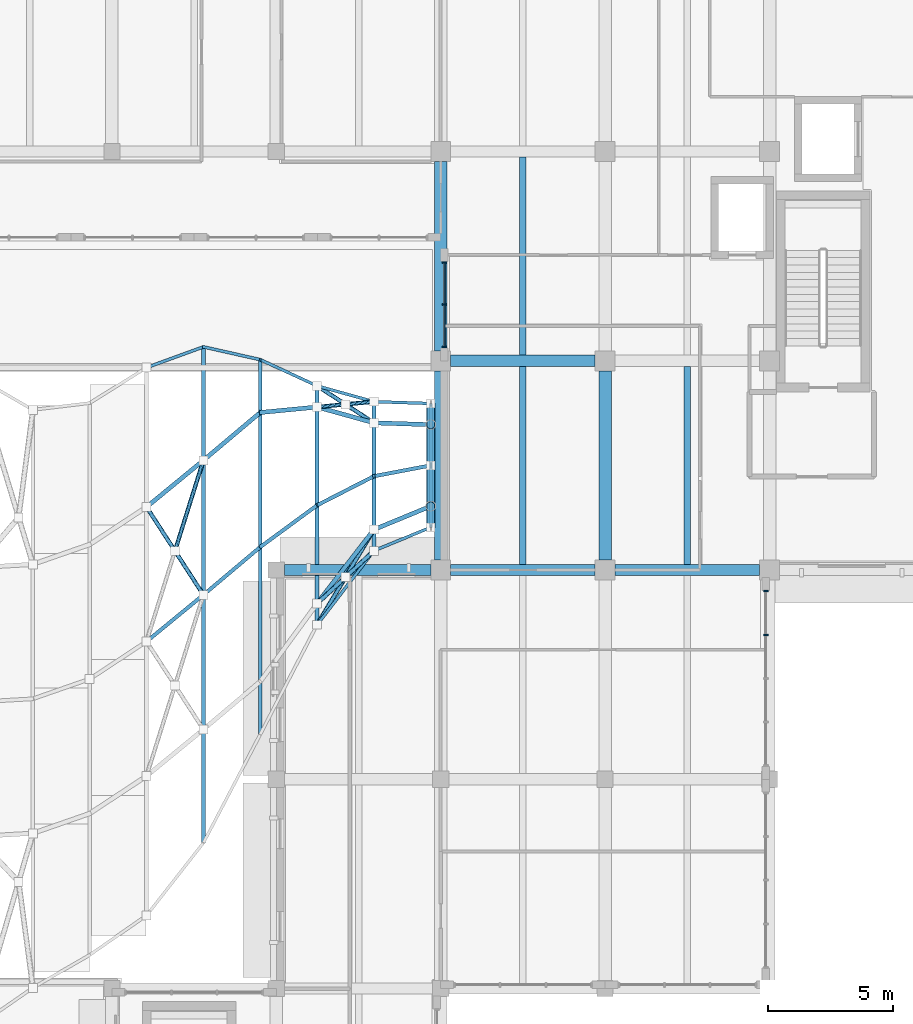
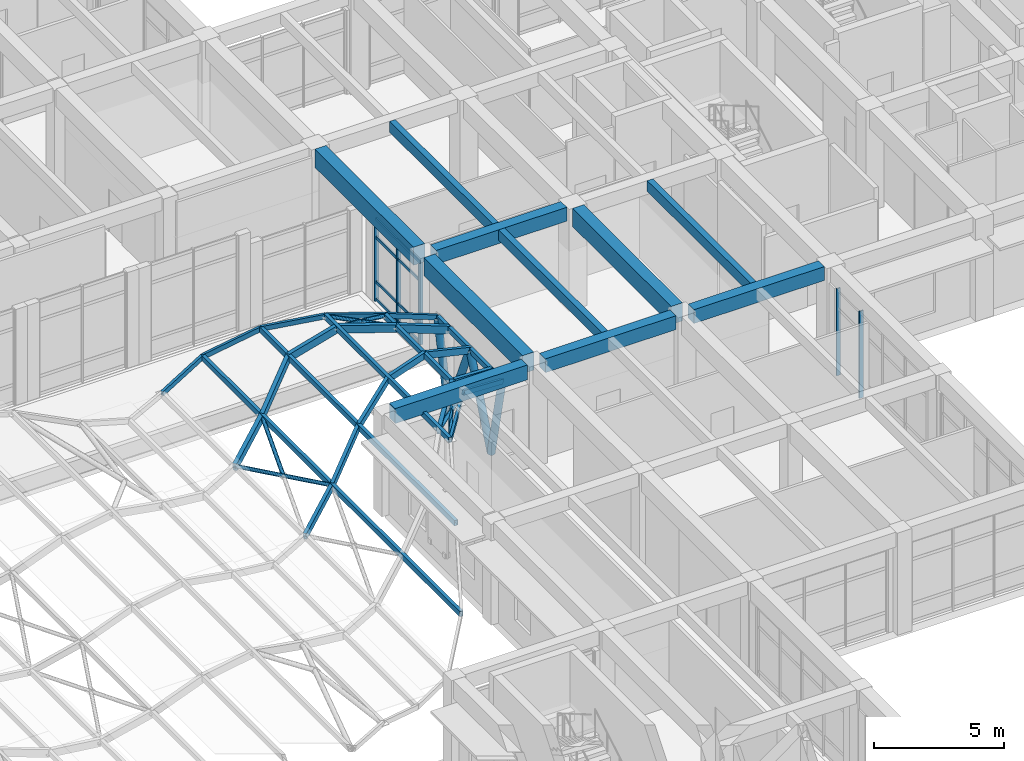
# One storey, part 27 of 79: 45 members, 10 beams, 2 elements without a shape of their own.
"""IFC4 building model written with IfcOpenShell, lengths in metres."""

from ifc_helpers import new_model, si_unit, direction, frame, origin, origin_2d, place, context, subcontext, project, spatial, rectangle, hollow_rectangle, hollow_circle, extrude, material, layer, layer_set, material_profile, profile_set, type_object, element, aggregate, save


model = new_model("IFC4")

# Units and contexts
model_context = context("Model", 3, precision=1e-05, world=origin(), true_north=direction((0.0, 1.0)))
body_context = subcontext(model_context, "Body", "Model", "MODEL_VIEW")
ifc_project = project(units=[si_unit("LENGTHUNIT", "METRE"), si_unit("AREAUNIT", "SQUARE_METRE"), si_unit("VOLUMEUNIT", "CUBIC_METRE"), si_unit("PLANEANGLEUNIT", "RADIAN"), si_unit("MASSUNIT", "GRAM", prefix="KILO")], contexts=[model_context])

# Site, building, storey
site_placement = place(None, origin())
site = spatial("IfcSite", under=ifc_project, at=site_placement, CompositionType="ELEMENT")
building_placement = place(site_placement, origin())
building = spatial("IfcBuilding", under=site, at=building_placement, Name="Kolvaren Faculty of Natural Sciences", CompositionType="ELEMENT")
storey_placement = place(building_placement, frame((0.0, 0.0, 10.199951171875)))
storey = spatial("IfcBuildingStorey", under=building, at=storey_placement, Name="L02", CompositionType="ELEMENT", Elevation=10.199951171875)

# Members
ifc_material_1 = material(Name="Structural steel EN 10210-1 S355J2H (white architectural finish)", Category="steel")
ifc_material_profile_1 = material_profile(ifc_material_1, hollow_circle(Radius=0.084228515625, WallThickness=0.008056640625, at=origin_2d()), Name="CHS 168.3x8")
ifc_profile_set_1 = profile_set([ifc_material_profile_1], Name="Structural steel EN 10210-1 S355J2H (white architectural finish)")
member_type_1 = type_object("IfcMemberType", Name="CanopyGridCrossBrace_CHS168", PredefinedType="BRACE", material=ifc_profile_set_1)
member_1_placement = place(storey_placement, frame((126.990966796875, 61.530517578125, 2.375732421875), z_axis=(0.540192787713, -0.83514290495, 0.103576447205), x_axis=(0.839659014623, 0.543113928345, 0.0)))
element("IfcMember", 1, at=member_1_placement, inside=storey, type_object=member_type_1, Name="Canopy X-brace continuous diagonal N2-40-A", PredefinedType="BRACE", context=body_context, shape_type="SweptSolid", body=[
    extrude(hollow_circle(Radius=0.084228515625, WallThickness=0.008056640625, at=origin_2d()), origin(), (0.0, 0.0, 1.0), 4.223876953125),
])
member_2_placement = place(storey_placement, frame((128.1318359375, 59.766845703125, 2.594482421875), z_axis=(0.298869862247, 0.952571737279, 0.057305242151), x_axis=(-0.954139670801, 0.299361802179, 0.0)))
element("IfcMember", 2, at=member_2_placement, inside=storey, type_object=member_type_1, Name="Canopy X-brace split diagonal N2-40-B2", PredefinedType="BRACE", context=body_context, shape_type="SweptSolid", body=[
    extrude(hollow_circle(Radius=0.084228515625, WallThickness=0.008056640625, at=origin_2d()), origin(), (0.0, 0.0, 1.0), 3.8173828125),
])
member_3_placement = place(storey_placement, frame((133.83642578125, 56.803466796875, 4.07470703125), z_axis=(0.510885522288, 0.855265876495, -0.086696387583), x_axis=(-0.858498311724, 0.512816388941, 0.0)))
element("IfcMember", 3, at=member_3_placement, inside=storey, type_object=member_type_1, Name="Canopy X-brace continuous diagonal S1-43-A", PredefinedType="BRACE", context=body_context, shape_type="SweptSolid", body=[
    extrude(hollow_circle(Radius=0.084228515625, WallThickness=0.008056640625, at=origin_2d()), origin(), (0.0, 0.0, 1.0), 4.46630859375),
])
member_4_placement = place(storey_placement, frame((133.83642578125, 57.6533203125, 4.07470703125), z_axis=(0.726979619513, 0.675485878007, -0.123367181313), x_axis=(-0.680685571899, 0.732575697255, 0.0)))
element("IfcMember", 4, at=member_4_placement, inside=storey, type_object=member_type_1, Name="Canopy X-brace split diagonal S1-43-B1", PredefinedType="BRACE", context=body_context, shape_type="SweptSolid", body=[
    extrude(hollow_circle(Radius=0.084228515625, WallThickness=0.008056640625, at=origin_2d()), origin(), (0.0, 0.0, 1.0), 1.5693359375),
])
member_5_placement = place(storey_placement, frame((134.977294921875, 58.71337890625, 3.881103515625), z_axis=(0.727056017763, 0.675401278217, -0.123380145963), x_axis=(-0.680601426329, 0.732653873585, 0.0)))
element("IfcMember", 5, at=member_5_placement, inside=storey, type_object=member_type_1, Name="Canopy X-brace split diagonal S1-43-B2", PredefinedType="BRACE", context=body_context, shape_type="SweptSolid", body=[
    extrude(hollow_circle(Radius=0.084228515625, WallThickness=0.008056640625, at=origin_2d()), origin(), (0.0, 0.0, 1.0), 1.569091796875),
])
member_6_placement = place(storey_placement, frame((133.83642578125, 66.393310546875, 4.07470703125), z_axis=(0.829880607086, -0.53987525049, -0.140829300539), x_axis=(0.545309867301, 0.838234542729, 0.0)))
element("IfcMember", 6, at=member_6_placement, inside=storey, type_object=member_type_1, Name="Canopy X-brace continuous diagonal N1-43-A", PredefinedType="BRACE", context=body_context, shape_type="SweptSolid", body=[
    extrude(hollow_circle(Radius=0.084228515625, WallThickness=0.008056640625, at=origin_2d()), origin(), (0.0, 0.0, 1.0), 2.74951171875),
])
for number, where, z_axis, x_axis, name in (
    (7, (133.83642578125, 65.54345703125, 4.07470703125), (0.981665088736, 0.092641622969, -0.166586863978), (-0.093954469156, 0.995576495165, 0.0), "Canopy X-brace split diagonal N1-43-B1"),
    (8, (134.977294921875, 65.651123046875, 3.881103515625), (0.981665088736, 0.092641622969, -0.166586863978), (-0.093954469156, 0.995576495165, 0.0), "Canopy X-brace split diagonal N1-43-B2"),
):
    element("IfcMember", number, at=place(storey_placement, frame(where, z_axis=z_axis, x_axis=x_axis)), inside=storey, type_object=member_type_1, Name=name, PredefinedType="BRACE", context=body_context, shape_type="SweptSolid", body=[
        extrude(hollow_circle(Radius=0.084228515625, WallThickness=0.008056640625, at=origin_2d()), origin(), (0.0, 0.0, 1.0), 1.162109375),
    ])
ifc_material_profile_2 = material_profile(ifc_material_1, hollow_rectangle(XDim=0.14990234375, YDim=0.300048828125, WallThickness=0.010009765625, at=origin_2d()), Name="RHS 300x150x10")
ifc_profile_set_2 = profile_set([ifc_material_profile_2], Name="Structural steel EN 10210-1 S355J2H (white architectural finish)")
member_type_2 = type_object("IfcMemberType", Name="CanopyRidgeChord_RHS300", PredefinedType="PURLIN", material=ifc_profile_set_2)
member_7_placement = place(storey_placement, frame((126.990966796875, 56.130615234375, 2.350830078125), z_axis=(0.764707942632, 0.627492532853, 0.146543112054), x_axis=(-0.634340694574, 0.77305360953, 0.0)))
element("IfcMember", 9, at=member_7_placement, inside=storey, type_object=member_type_2, Name="Covered street wave canopy ridge chord 40", PredefinedType="PURLIN", context=body_context, shape_type="SweptSolid", body=[
    extrude(hollow_rectangle(XDim=0.14990234375, YDim=0.300048828125, WallThickness=0.010009765625, at=origin_2d()), origin(), (0.0, 0.0, 1.0), 2.98388671875),
])
member_8_placement = place(storey_placement, frame((129.272705078125, 58.0029296875, 2.7880859375), z_axis=(0.736844585428, 0.620239284567, 0.269004250533), x_axis=(-0.643976924717, 0.765044913996, 0.0)))
element("IfcMember", 10, at=member_8_placement, inside=storey, type_object=member_type_2, Name="Covered street wave canopy ridge chord 41", PredefinedType="PURLIN", context=body_context, shape_type="SweptSolid", body=[
    extrude(hollow_rectangle(XDim=0.14990234375, YDim=0.300048828125, WallThickness=0.010009765625, at=origin_2d()), origin(), (0.0, 0.0, 1.0), 3.0966796875),
])
member_9_placement = place(storey_placement, frame((131.554443359375, 59.923583984375, 3.62109375), z_axis=(0.797087172619, 0.585002461129, 0.149746985677), x_axis=(-0.591673969726, 0.806177346214, 0.0)))
element("IfcMember", 11, at=member_9_placement, inside=storey, type_object=member_type_2, Name="Covered street wave canopy ridge chord 42", PredefinedType="PURLIN", context=body_context, shape_type="SweptSolid", body=[
    extrude(hollow_rectangle(XDim=0.14990234375, YDim=0.300048828125, WallThickness=0.010009765625, at=origin_2d()), origin(), (0.0, 0.0, 1.0), 2.86279296875),
])
member_10_placement = place(storey_placement, frame((133.83642578125, 61.598388671875, 4.0498046875), z_axis=(0.880210154157, 0.450464922676, -0.149370137438), x_axis=(-0.455575867981, 0.890196960517, 0.0)))
element("IfcMember", 12, at=member_10_placement, inside=storey, type_object=member_type_2, Name="Covered street wave canopy ridge chord 43", PredefinedType="PURLIN", context=body_context, shape_type="SweptSolid", body=[
    extrude(hollow_rectangle(XDim=0.14990234375, YDim=0.300048828125, WallThickness=0.010009765625, at=origin_2d()), origin(), (0.0, 0.0, 1.0), 2.59228515625),
])
member_11_placement = place(storey_placement, frame((136.1181640625, 62.76611328125, 3.66259765625), z_axis=(0.924941004146, 0.17586348859, -0.336980967164), x_axis=(-0.186788473869, 0.982400155756, 0.0)))
element("IfcMember", 13, at=member_11_placement, inside=storey, type_object=member_type_2, Name="Covered street wave canopy ridge chord 44", PredefinedType="PURLIN", context=body_context, shape_type="SweptSolid", body=[
    extrude(hollow_rectangle(XDim=0.14990234375, YDim=0.300048828125, WallThickness=0.010009765625, at=origin_2d()), origin(), (0.0, 0.0, 1.0), 2.466796875),
])
ifc_material_profile_3 = material_profile(ifc_material_1, hollow_rectangle(XDim=0.175048828125, YDim=0.35009765625, WallThickness=0.012451171875, at=origin_2d()), Name="RHS 350x175x12.5")
ifc_profile_set_3 = profile_set([ifc_material_profile_3], Name="Structural steel EN 10210-1 S355J2H (white architectural finish)")
member_type_3 = type_object("IfcMemberType", Name="CanopySpineChord_RHS350", PredefinedType="PURLIN", material=ifc_profile_set_3)
member_12_placement = place(storey_placement, frame((126.990966796875, 61.530517578125, 2.32568359375), z_axis=(0.764659510784, 0.627534608144, 0.146615647692), x_axis=(-0.634390122101, 0.77301304839, 0.0)))
element("IfcMember", 14, at=member_12_placement, inside=storey, type_object=member_type_3, Name="Covered street wave canopy n-spine chord 40", PredefinedType="PURLIN", context=body_context, shape_type="SweptSolid", body=[
    extrude(hollow_rectangle(XDim=0.175048828125, YDim=0.35009765625, WallThickness=0.012451171875, at=origin_2d()), origin(), (0.0, 0.0, 1.0), 2.98388671875),
])
member_13_placement = place(storey_placement, frame((129.272705078125, 63.403076171875, 2.76318359375), z_axis=(0.736896245368, 0.620203923183, 0.268944264172), x_axis=(-0.643929009953, 0.765085243709, 0.0)))
element("IfcMember", 15, at=member_13_placement, inside=storey, type_object=member_type_3, Name="Covered street wave canopy n-spine chord 41", PredefinedType="PURLIN", context=body_context, shape_type="SweptSolid", body=[
    extrude(hollow_rectangle(XDim=0.175048828125, YDim=0.35009765625, WallThickness=0.012451171875, at=origin_2d()), origin(), (0.0, 0.0, 1.0), 3.096435546875),
])
member_14_placement = place(storey_placement, frame((131.554443359375, 65.323486328125, 3.595947265625), z_axis=(0.978425709829, 0.094314920783, 0.183814651381), x_axis=(-0.095949817214, 0.995386172587, 0.0)))
element("IfcMember", 16, at=member_14_placement, inside=storey, type_object=member_type_3, Name="Covered street wave canopy n-spine chord 42", PredefinedType="PURLIN", context=body_context, shape_type="SweptSolid", body=[
    extrude(hollow_rectangle(XDim=0.175048828125, YDim=0.35009765625, WallThickness=0.012451171875, at=origin_2d()), origin(), (0.0, 0.0, 1.0), 2.332275390625),
])
member_15_placement = place(storey_placement, frame((133.83642578125, 57.6533203125, 4.024658203125), z_axis=(0.6060017679, 0.788787877863, -0.102837449592), x_axis=(-0.792992183802, 0.609231808452, 0.0)))
element("IfcMember", 17, at=member_15_placement, inside=storey, type_object=member_type_3, Name="Covered street wave canopy s-spine chord 43", PredefinedType="PURLIN", context=body_context, shape_type="SweptSolid", body=[
    extrude(hollow_rectangle(XDim=0.175048828125, YDim=0.35009765625, WallThickness=0.012451171875, at=origin_2d()), origin(), (0.0, 0.0, 1.0), 3.76513671875),
])
member_16_placement = place(storey_placement, frame((133.83642578125, 65.54345703125, 4.024658203125), z_axis=(0.95081702743, -0.264409742595, -0.161352001445), x_axis=(0.267920323907, 0.963441072426, 0.0)))
element("IfcMember", 18, at=member_16_placement, inside=storey, type_object=member_type_3, Name="Covered street wave canopy n-spine chord 43", PredefinedType="PURLIN", context=body_context, shape_type="SweptSolid", body=[
    extrude(hollow_rectangle(XDim=0.175048828125, YDim=0.35009765625, WallThickness=0.012451171875, at=origin_2d()), origin(), (0.0, 0.0, 1.0), 2.399658203125),
])
member_17_placement = place(storey_placement, frame((136.1181640625, 60.623291015625, 3.637451171875), z_axis=(0.876002248107, 0.361611028589, -0.319151257736), x_axis=(-0.38156545556, 0.924341821581, 0.0)))
element("IfcMember", 19, at=member_17_placement, inside=storey, type_object=member_type_3, Name="Covered street wave canopy s-spine chord 44", PredefinedType="PURLIN", context=body_context, shape_type="SweptSolid", body=[
    extrude(hollow_rectangle(XDim=0.175048828125, YDim=0.35009765625, WallThickness=0.012451171875, at=origin_2d()), origin(), (0.0, 0.0, 1.0), 2.604736328125),
])
member_18_placement = place(storey_placement, frame((136.1181640625, 64.908935546875, 3.637451171875), z_axis=(0.939146343883, -0.03054788022, -0.342156355759), x_axis=(0.032510090715, 0.999471407296, 0.0)))
element("IfcMember", 20, at=member_18_placement, inside=storey, type_object=member_type_3, Name="Covered street wave canopy n-spine chord 44", PredefinedType="PURLIN", context=body_context, shape_type="SweptSolid", body=[
    extrude(hollow_rectangle(XDim=0.175048828125, YDim=0.35009765625, WallThickness=0.012451171875, at=origin_2d()), origin(), (0.0, 0.0, 1.0), 2.4296875),
])
ifc_material_profile_4 = material_profile(ifc_material_1, hollow_rectangle(XDim=0.14990234375, YDim=0.25, WallThickness=0.010009765625, at=origin_2d()), Name="RHS 250x150x10")
ifc_profile_set_4 = profile_set([ifc_material_profile_4], Name="Structural steel EN 10210-1 S355J2H (white architectural finish)")
member_type_4 = type_object("IfcMemberType", Name="CanopyTransverseRafter_RHS250", PredefinedType="RAFTER", material=ifc_profile_set_4)
member_19_placement = place(storey_placement, frame((129.272705078125, 48.048095703125, 2.813232421875), z_axis=(0.0, 1.0, 0.0), x_axis=(-1.0, 0.0, 0.0)))
element("IfcMember", 21, at=member_19_placement, inside=storey, type_object=member_type_4, Name="Covered street canopy transverse rafter 41", PredefinedType="RAFTER", context=body_context, shape_type="SweptSolid", body=[
    extrude(hollow_rectangle(XDim=0.14990234375, YDim=0.25, WallThickness=0.010009765625, at=origin_2d()), origin(), (0.0, 0.0, 1.0), 19.909912109375),
])
member_20_placement = place(storey_placement, frame((131.554443359375, 52.402099609375, 3.64599609375), z_axis=(0.0, 1.0, 0.0), x_axis=(-1.0, 0.0, 0.0)))
element("IfcMember", 22, at=member_20_placement, inside=storey, type_object=member_type_4, Name="Covered street canopy transverse rafter 42", PredefinedType="RAFTER", context=body_context, shape_type="SweptSolid", body=[
    extrude(hollow_rectangle(XDim=0.14990234375, YDim=0.25, WallThickness=0.010009765625, at=origin_2d()), origin(), (0.0, 0.0, 1.0), 15.042724609375),
])
member_21_placement = place(storey_placement, frame((133.83642578125, 56.803466796875, 4.07470703125), z_axis=(0.0, 1.0, 0.0), x_axis=(-1.0, 0.0, 0.0)))
element("IfcMember", 23, at=member_21_placement, inside=storey, type_object=member_type_4, Name="Covered street canopy transverse rafter 43", PredefinedType="RAFTER", context=body_context, shape_type="SweptSolid", body=[
    extrude(hollow_rectangle(XDim=0.14990234375, YDim=0.25, WallThickness=0.010009765625, at=origin_2d()), origin(), (0.0, 0.0, 1.0), 9.58984375),
])
member_22_placement = place(storey_placement, frame((136.1181640625, 59.773193359375, 3.6875), z_axis=(0.0, 1.0, 0.0), x_axis=(-1.0, 0.0, 0.0)))
element("IfcMember", 24, at=member_22_placement, inside=storey, type_object=member_type_4, Name="Covered street canopy transverse rafter 44", PredefinedType="RAFTER", context=body_context, shape_type="SweptSolid", body=[
    extrude(hollow_rectangle(XDim=0.14990234375, YDim=0.25, WallThickness=0.010009765625, at=origin_2d()), origin(), (0.0, 0.0, 1.0), 5.985595703125),
])
member_23_placement = place(storey_placement, frame((138.39990234375, 60.71533203125, 2.856201171875), z_axis=(0.0, 1.0, 0.0), x_axis=(-1.0, 0.0, 0.0)))
element("IfcMember", 25, at=member_23_placement, inside=storey, type_object=member_type_4, Name="Covered street canopy east portal transverse rafter", PredefinedType="RAFTER", context=body_context, shape_type="SweptSolid", body=[
    extrude(hollow_rectangle(XDim=0.14990234375, YDim=0.25, WallThickness=0.010009765625, at=origin_2d()), origin(), (0.0, 0.0, 1.0), 4.969482421875),
])
ifc_material_profile_5 = material_profile(ifc_material_1, hollow_rectangle(XDim=0.1201171875, YDim=0.219970703125, WallThickness=0.008056640625, at=origin_2d()), Name="RHS 220x120x8")
ifc_profile_set_5 = profile_set([ifc_material_profile_5], Name="Structural steel EN 10210-1 S355J2H (white architectural finish)")
member_type_5 = type_object("IfcMemberType", Name="CanopyWaveEdgeChord_RHS220", PredefinedType="RAFTER", material=ifc_profile_set_5)
member_24_placement = place(storey_placement, frame((126.990966796875, 67.12646484375, 2.390869140625), z_axis=(0.924683997207, 0.336986271612, 0.177199768778), x_axis=(-0.342404861365, 0.939552505672, 0.0)))
element("IfcMember", 26, at=member_24_placement, inside=storey, type_object=member_type_5, Name="Covered street wave canopy n-wave chord 40", PredefinedType="RAFTER", context=body_context, shape_type="SweptSolid", body=[
    extrude(hollow_rectangle(XDim=0.1201171875, YDim=0.219970703125, WallThickness=0.008056640625, at=origin_2d()), origin(), (0.0, 0.0, 1.0), 2.467529296875),
])
member_25_placement = place(storey_placement, frame((129.272705078125, 67.9580078125, 2.828125), z_axis=(0.919070852332, -0.20670735412, 0.335530681378), x_axis=(0.219427738396, 0.97562875502, 0.0)))
element("IfcMember", 27, at=member_25_placement, inside=storey, type_object=member_type_5, Name="Covered street wave canopy n-wave chord 41", PredefinedType="RAFTER", context=body_context, shape_type="SweptSolid", body=[
    extrude(hollow_rectangle(XDim=0.1201171875, YDim=0.219970703125, WallThickness=0.008056640625, at=origin_2d()), origin(), (0.0, 0.0, 1.0), 2.482666015625),
])
member_26_placement = place(storey_placement, frame((131.554443359375, 67.44482421875, 3.6611328125), z_axis=(0.89527943208, -0.412535413926, 0.168194146008), x_axis=(0.418497374062, 0.908218006815, 0.0)))
element("IfcMember", 28, at=member_26_placement, inside=storey, type_object=member_type_5, Name="Covered street wave canopy n-wave chord 42", PredefinedType="RAFTER", context=body_context, shape_type="SweptSolid", body=[
    extrude(hollow_rectangle(XDim=0.1201171875, YDim=0.219970703125, WallThickness=0.008056640625, at=origin_2d()), origin(), (0.0, 0.0, 1.0), 2.548828125),
])
member_27_placement = place(storey_placement, frame((133.83642578125, 56.803466796875, 4.08984375), z_axis=(0.606032763333, 0.788763378256, -0.102842709463), x_axis=(-0.792967987131, 0.609263302181, 0.0)))
element("IfcMember", 29, at=member_27_placement, inside=storey, type_object=member_type_5, Name="Covered street wave canopy s-wave chord 43", PredefinedType="RAFTER", context=body_context, shape_type="SweptSolid", body=[
    extrude(hollow_rectangle(XDim=0.1201171875, YDim=0.219970703125, WallThickness=0.008056640625, at=origin_2d()), origin(), (0.0, 0.0, 1.0), 3.76513671875),
])
member_28_placement = place(storey_placement, frame((133.83642578125, 66.393310546875, 4.08984375), z_axis=(0.95081702743, -0.264409742595, -0.161352001445), x_axis=(0.267920323907, 0.963441072426, 0.0)))
element("IfcMember", 30, at=member_28_placement, inside=storey, type_object=member_type_5, Name="Covered street wave canopy n-wave chord 43", PredefinedType="RAFTER", context=body_context, shape_type="SweptSolid", body=[
    extrude(hollow_rectangle(XDim=0.1201171875, YDim=0.219970703125, WallThickness=0.008056640625, at=origin_2d()), origin(), (0.0, 0.0, 1.0), 2.399658203125),
])
member_29_placement = place(storey_placement, frame((136.1181640625, 59.773193359375, 3.70263671875), z_axis=(0.875972554665, 0.36169249823, -0.319140439614), x_axis=(-0.381649953757, 0.924306936465, 0.0)))
element("IfcMember", 31, at=member_29_placement, inside=storey, type_object=member_type_5, Name="Covered street wave canopy s-wave chord 44", PredefinedType="RAFTER", context=body_context, shape_type="SweptSolid", body=[
    extrude(hollow_rectangle(XDim=0.1201171875, YDim=0.219970703125, WallThickness=0.008056640625, at=origin_2d()), origin(), (0.0, 0.0, 1.0), 2.604736328125),
])
member_30_placement = place(storey_placement, frame((136.1181640625, 65.7587890625, 3.70263671875), z_axis=(0.939149222003, -0.030447487082, -0.342157404336), x_axis=(0.032403262097, 0.999474876425, 0.0)))
element("IfcMember", 32, at=member_30_placement, inside=storey, type_object=member_type_5, Name="Covered street wave canopy n-wave chord 44", PredefinedType="RAFTER", context=body_context, shape_type="SweptSolid", body=[
    extrude(hollow_rectangle(XDim=0.1201171875, YDim=0.219970703125, WallThickness=0.008056640625, at=origin_2d()), origin(), (0.0, 0.0, 1.0), 2.4296875),
])

# Curtain wall, members
ifc_material_2 = material(Name="Thermally broken anodised aluminium framing", Category="aluminium")
ifc_layer_1 = layer(ifc_material_2, 0.179931640625)
ifc_layer_set_1 = layer_set([ifc_layer_1], Name="Thermally broken anodised aluminium framing")
curtain_wall_type_1 = type_object("IfcCurtainWallType", Name="CommonsCurtainWall_CW02", PredefinedType="NOTDEFINED", material=ifc_layer_set_1)
curtain_wall_1_placement = place(storey_placement, origin())
curtain_wall_1 = element("IfcCurtainWall", 33, at=curtain_wall_1_placement, inside=storey, type_object=curtain_wall_type_1, Name="L02 unitised curtain wall CW-02 (CW-L02-084)", PredefinedType="NOTDEFINED")
ifc_material_profile_6 = material_profile(ifc_material_2, rectangle(XDim=0.06005859375, YDim=0.179931640625, at=origin_2d()), Name="ALU MUL 60x180")
ifc_profile_set_6 = profile_set([ifc_material_profile_6], Name="Thermally broken anodised aluminium framing")
member_type_6 = type_object("IfcMemberType", Name="CurtainMullion_60x180", PredefinedType="MULLION", material=ifc_profile_set_6)
member_31_placement = place(storey_placement, frame((138.949951171875, 67.949951171875, 0.0), z_axis=(0.0, 0.0, 1.0), x_axis=(0.0, 1.0, 0.0)))
member_31 = element("IfcMember", 34, at=member_31_placement, type_object=member_type_6, Name="CW-L02-084 vertical mullion 1", PredefinedType="MULLION", context=body_context, shape_type="SweptSolid", body=[
    extrude(rectangle(XDim=0.06005859375, YDim=0.179931640625, at=origin_2d()), origin(), (0.0, 0.0, 1.0), 3.93505859375),
])
member_32_placement = place(storey_placement, frame((138.949951171875, 69.64990234375, 0.0), z_axis=(0.0, 0.0, 1.0), x_axis=(0.0, 1.0, 0.0)))
member_32 = element("IfcMember", 35, at=member_32_placement, type_object=member_type_6, Name="CW-L02-084 vertical mullion 2", PredefinedType="MULLION", context=body_context, shape_type="SweptSolid", body=[
    extrude(rectangle(XDim=0.06005859375, YDim=0.179931640625, at=origin_2d()), origin(), (0.0, 0.0, 1.0), 3.93505859375),
])
member_33_placement = place(storey_placement, frame((138.949951171875, 71.35009765625, 0.0), z_axis=(0.0, 0.0, 1.0), x_axis=(0.0, 1.0, 0.0)))
member_33 = element("IfcMember", 36, at=member_33_placement, type_object=member_type_6, Name="CW-L02-084 vertical mullion 3", PredefinedType="MULLION", context=body_context, shape_type="SweptSolid", body=[
    extrude(rectangle(XDim=0.06005859375, YDim=0.179931640625, at=origin_2d()), origin(), (0.0, 0.0, 1.0), 3.93505859375),
])

ifc_layer_2 = layer(ifc_material_2, 0.179931640625)
ifc_layer_set_2 = layer_set([ifc_layer_2], Name="Thermally broken anodised aluminium framing")
curtain_wall_type_2 = type_object("IfcCurtainWallType", Name="TowerNorthCurtainWall_CW03", PredefinedType="NOTDEFINED", material=ifc_layer_set_2)
curtain_wall_2_placement = place(storey_placement, origin())
curtain_wall_2 = element("IfcCurtainWall", 37, at=curtain_wall_2_placement, inside=storey, type_object=curtain_wall_type_2, Name="L02 unitised curtain wall CW-03 (CW-L02-104)", PredefinedType="NOTDEFINED")
member_34_placement = place(storey_placement, frame((151.85009765625, 58.14990234375, 0.0), z_axis=(0.0, 0.0, 1.0), x_axis=(0.0, -1.0, 0.0)))
member_34 = element("IfcMember", 38, at=member_34_placement, type_object=member_type_6, Name="CW-L02-104 vertical mullion 1", PredefinedType="MULLION", context=body_context, shape_type="SweptSolid", body=[
    extrude(rectangle(XDim=0.06005859375, YDim=0.179931640625, at=origin_2d()), origin(), (0.0, 0.0, 1.0), 4.0849609375),
])
member_35_placement = place(storey_placement, frame((151.85009765625, 56.39990234375, 0.0), z_axis=(0.0, 0.0, 1.0), x_axis=(0.0, -1.0, 0.0)))
member_35 = element("IfcMember", 39, at=member_35_placement, type_object=member_type_6, Name="CW-L02-104 vertical mullion 2", PredefinedType="MULLION", context=body_context, shape_type="SweptSolid", body=[
    extrude(rectangle(XDim=0.06005859375, YDim=0.179931640625, at=origin_2d()), origin(), (0.0, 0.0, 1.0), 4.0849609375),
])
aggregate(curtain_wall_2, [member_34, member_35])

# Member
ifc_material_profile_7 = material_profile(ifc_material_2, rectangle(XDim=0.06005859375, YDim=0.139892578125, at=origin_2d()), Name="ALU TRN 60x140")
ifc_profile_set_7 = profile_set([ifc_material_profile_7], Name="Thermally broken anodised aluminium framing")
member_type_7 = type_object("IfcMemberType", Name="CurtainTransom_60x140", PredefinedType="USERDEFINED", material=ifc_profile_set_7)
member_36_placement = place(storey_placement, frame((138.949951171875, 67.949951171875, 0.080078125), z_axis=(0.0, 1.0, 0.0), x_axis=(-1.0, 0.0, 0.0)))
member_36 = element("IfcMember", 40, at=member_36_placement, type_object=member_type_7, Name="CW-L02-084 horizontal transom 1", ObjectType="TRANSOM", PredefinedType="USERDEFINED", context=body_context, shape_type="SweptSolid", body=[
    extrude(rectangle(XDim=0.06005859375, YDim=0.139892578125, at=origin_2d()), origin(), (0.0, 0.0, 1.0), 3.400146484375),
])

member_37_placement = place(storey_placement, frame((138.949951171875, 67.949951171875, 0.900146484375), z_axis=(0.0, 1.0, 0.0), x_axis=(-1.0, 0.0, 0.0)))
member_37 = element("IfcMember", 41, at=member_37_placement, type_object=member_type_7, Name="CW-L02-084 horizontal transom 2", ObjectType="TRANSOM", PredefinedType="USERDEFINED", context=body_context, shape_type="SweptSolid", body=[
    extrude(rectangle(XDim=0.06005859375, YDim=0.139892578125, at=origin_2d()), origin(), (0.0, 0.0, 1.0), 3.400146484375),
])

member_38_placement = place(storey_placement, frame((138.949951171875, 67.949951171875, 2.985107421875), z_axis=(0.0, 1.0, 0.0), x_axis=(-1.0, 0.0, 0.0)))
member_38 = element("IfcMember", 42, at=member_38_placement, type_object=member_type_7, Name="CW-L02-084 horizontal transom 3", ObjectType="TRANSOM", PredefinedType="USERDEFINED", context=body_context, shape_type="SweptSolid", body=[
    extrude(rectangle(XDim=0.06005859375, YDim=0.139892578125, at=origin_2d()), origin(), (0.0, 0.0, 1.0), 3.400146484375),
])

member_39_placement = place(storey_placement, frame((138.949951171875, 67.949951171875, 3.85498046875), z_axis=(0.0, 1.0, 0.0), x_axis=(-1.0, 0.0, 0.0)))
member_39 = element("IfcMember", 43, at=member_39_placement, type_object=member_type_7, Name="CW-L02-084 horizontal transom 4", ObjectType="TRANSOM", PredefinedType="USERDEFINED", context=body_context, shape_type="SweptSolid", body=[
    extrude(rectangle(XDim=0.06005859375, YDim=0.139892578125, at=origin_2d()), origin(), (0.0, 0.0, 1.0), 3.400146484375),
])

aggregate(curtain_wall_1, [member_31, member_32, member_33, member_36, member_37, member_38, member_39])

# Beams
ifc_material_3 = material(Name="Concrete C35/45", Category="concrete")
ifc_material_profile_8 = material_profile(ifc_material_3, rectangle(XDim=0.449951171875, YDim=0.64990234375, at=origin_2d()), Name="RC BM 450x650")
ifc_profile_set_8 = profile_set([ifc_material_profile_8], Name="Concrete C35/45")
beam_type_1 = type_object("IfcBeamType", Name="GridBeam_450x650", PredefinedType="BEAM", material=ifc_profile_set_8)
for number, where, z_axis, x_axis, name in (
    (44, (139.199951171875, 59.0, 4.47509765625), (1.0, 0.0, 0.0), (0.0, 1.0, 0.0), "L02 beam BM-65 on grid H"),
    (45, (145.800048828125, 59.0, 4.47509765625), (1.0, 0.0, 0.0), (0.0, 1.0, 0.0), "L02 beam BM-65 on grid H"),
    (46, (139.199951171875, 67.39990234375, 4.47509765625), (1.0, 0.0, 0.0), (0.0, 1.0, 0.0), "L02 beam BM-65 on grid J"),
):
    element("IfcBeam", number, at=place(storey_placement, frame(where, z_axis=z_axis, x_axis=x_axis)), inside=storey, type_object=beam_type_1, Name=name, PredefinedType="BEAM", context=body_context, shape_type="SweptSolid", body=[
        extrude(rectangle(XDim=0.449951171875, YDim=0.64990234375, at=origin_2d()), origin(), (0.0, 0.0, 1.0), 5.800048828125),
    ])
ifc_material_profile_9 = material_profile(ifc_material_3, rectangle(XDim=0.260009765625, YDim=0.5, at=origin_2d()), Name="RC JST 260x500")
ifc_profile_set_9 = profile_set([ifc_material_profile_9], Name="Concrete C35/45")
beam_type_2 = type_object("IfcBeamType", Name="LabRibJoist_260x500", PredefinedType="JOIST", material=ifc_profile_set_9)
for number, where, z_axis, x_axis, name in (
    (47, (142.10009765625, 59.22509765625, 4.550048828125), (0.0, 1.0, 0.0), (-1.0, 0.0, 0.0), "L02 ribbed laboratory slab joist JS-50"),
    (48, (142.10009765625, 67.625, 4.550048828125), (0.0, 1.0, 0.0), (-1.0, 0.0, 0.0), "L02 ribbed laboratory slab joist JS-50"),
    (49, (148.699951171875, 59.22509765625, 4.550048828125), (0.0, 1.0, 0.0), (-1.0, 0.0, 0.0), "L02 ribbed laboratory slab joist JS-50"),
):
    element("IfcBeam", number, at=place(storey_placement, frame(where, z_axis=z_axis, x_axis=x_axis)), inside=storey, type_object=beam_type_2, Name=name, PredefinedType="JOIST", context=body_context, shape_type="SweptSolid", body=[
        extrude(rectangle(XDim=0.260009765625, YDim=0.5, at=origin_2d()), origin(), (0.0, 0.0, 1.0), 7.949951171875),
    ])
ifc_material_profile_10 = material_profile(ifc_material_3, rectangle(XDim=0.449951171875, YDim=0.699951171875, at=origin_2d()), Name="RC SP 450x700")
ifc_profile_set_10 = profile_set([ifc_material_profile_10], Name="Concrete C35/45")
beam_type_3 = type_object("IfcBeamType", Name="PerimeterSpandrel_450x700", PredefinedType="SPANDREL", material=ifc_profile_set_10)
beam_1_placement = place(storey_placement, frame((132.52490234375, 59.0, 4.449951171875), z_axis=(1.0, 0.0, 0.0), x_axis=(0.0, 1.0, 0.0)))
element("IfcBeam", 50, at=beam_1_placement, inside=storey, type_object=beam_type_3, Name="L02 spandrel SP-70 on grid H", PredefinedType="SPANDREL", context=body_context, shape_type="SweptSolid", body=[
    extrude(rectangle(XDim=0.449951171875, YDim=0.699951171875, at=origin_2d()), origin(), (0.0, 0.0, 1.0), 5.875),
])
ifc_material_profile_11 = material_profile(ifc_material_3, rectangle(XDim=0.5, YDim=0.85009765625, at=origin_2d()), Name="RC BM 500x850")
ifc_profile_set_11 = profile_set([ifc_material_profile_11], Name="Concrete C35/45")
beam_type_4 = type_object("IfcBeamType", Name="PrimaryGirder_500x850", PredefinedType="BEAM", material=ifc_profile_set_11)
beam_2_placement = place(storey_placement, frame((138.800048828125, 59.39990234375, 4.375), z_axis=(0.0, 1.0, 0.0), x_axis=(-1.0, 0.0, 0.0)))
element("IfcBeam", 51, at=beam_2_placement, inside=storey, type_object=beam_type_4, Name="L02 girder BG-85 on grid 22", PredefinedType="BEAM", context=body_context, shape_type="SweptSolid", body=[
    extrude(rectangle(XDim=0.5, YDim=0.85009765625, at=origin_2d()), origin(), (0.0, 0.0, 1.0), 7.60009765625),
])
beam_3_placement = place(storey_placement, frame((138.800048828125, 67.800048828125, 4.375), z_axis=(0.0, 1.0, 0.0), x_axis=(-1.0, 0.0, 0.0)))
element("IfcBeam", 52, at=beam_3_placement, inside=storey, type_object=beam_type_4, Name="L02 girder BG-85 on grid 22", PredefinedType="BEAM", context=body_context, shape_type="SweptSolid", body=[
    extrude(rectangle(XDim=0.5, YDim=0.85009765625, at=origin_2d()), origin(), (0.0, 0.0, 1.0), 7.599853515625),
])
beam_4_placement = place(storey_placement, frame((145.39990234375, 59.39990234375, 4.375), z_axis=(0.0, 1.0, 0.0), x_axis=(-1.0, 0.0, 0.0)))
element("IfcBeam", 53, at=beam_4_placement, inside=storey, type_object=beam_type_4, Name="L02 girder BG-85 on grid 23", PredefinedType="BEAM", context=body_context, shape_type="SweptSolid", body=[
    extrude(rectangle(XDim=0.5, YDim=0.85009765625, at=origin_2d()), origin(), (0.0, 0.0, 1.0), 7.60009765625),
])

# Members
ifc_material_profile_12 = material_profile(ifc_material_1, hollow_circle(Radius=0.161865234375, WallThickness=0.012451171875, at=origin_2d()), Name="CHS 323.9x12.5")
ifc_profile_set_12 = profile_set([ifc_material_profile_12], Name="Structural steel EN 10210-1 S355J2H (white architectural finish)")
member_type_8 = type_object("IfcMemberType", Name="TreeBranchPortal_CHS324", PredefinedType="STRUT", material=ifc_profile_set_12)
member_40_placement = place(storey_placement, frame((138.39990234375, 61.565185546875, -1.0), z_axis=(0.0, -0.215221504564, 0.97656525843), x_axis=(1.0, 0.0, 0.0)))
element("IfcMember", 54, at=member_40_placement, inside=storey, type_object=member_type_8, Name="Covered street canopy portal branch E-S-EAVE", PredefinedType="STRUT", context=body_context, shape_type="SweptSolid", body=[
    extrude(hollow_circle(Radius=0.161865234375, WallThickness=0.012451171875, at=origin_2d()), origin(), (0.0, 0.0, 1.0), 3.94873046875),
])
member_41_placement = place(storey_placement, frame((138.39990234375, 61.565185546875, -1.0), z_axis=(0.0, 0.39030733032, 0.920684629989), x_axis=(-1.0, 0.0, 0.0)))
element("IfcMember", 55, at=member_41_placement, inside=storey, type_object=member_type_8, Name="Covered street canopy portal branch E-S-RIDGE", PredefinedType="STRUT", context=body_context, shape_type="SweptSolid", body=[
    extrude(hollow_circle(Radius=0.161865234375, WallThickness=0.012451171875, at=origin_2d()), origin(), (0.0, 0.0, 1.0), 4.1884765625),
])
member_42_placement = place(storey_placement, frame((138.39990234375, 64.834716796875, -1.0), z_axis=(0.0, 0.215280467013, 0.976552262054), x_axis=(-1.0, 0.0, 0.0)))
element("IfcMember", 56, at=member_42_placement, inside=storey, type_object=member_type_8, Name="Covered street canopy portal branch E-N-EAVE", PredefinedType="STRUT", context=body_context, shape_type="SweptSolid", body=[
    extrude(hollow_circle(Radius=0.161865234375, WallThickness=0.012451171875, at=origin_2d()), origin(), (0.0, 0.0, 1.0), 3.94873046875),
])
member_43_placement = place(storey_placement, frame((138.39990234375, 64.834716796875, -1.0), z_axis=(0.0, -0.39030733032, 0.920684629989), x_axis=(1.0, 0.0, 0.0)))
element("IfcMember", 57, at=member_43_placement, inside=storey, type_object=member_type_8, Name="Covered street canopy portal branch E-N-RIDGE", PredefinedType="STRUT", context=body_context, shape_type="SweptSolid", body=[
    extrude(hollow_circle(Radius=0.161865234375, WallThickness=0.012451171875, at=origin_2d()), origin(), (0.0, 0.0, 1.0), 4.1884765625),
])

save(model, "model.ifc")
